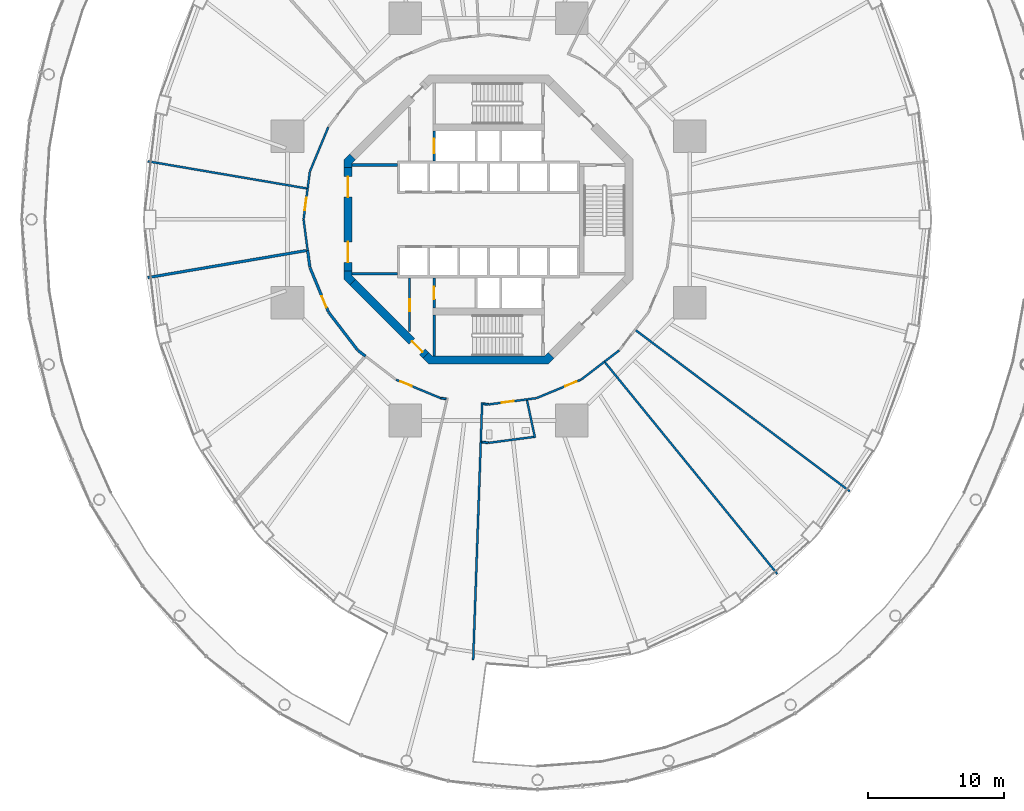
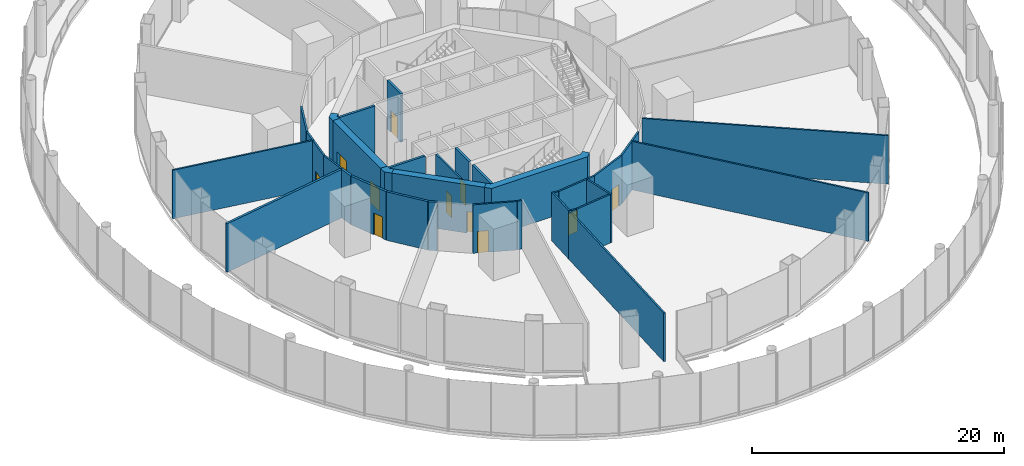
# One storey, part 42 of 48: 36 walls, 11 doors, 11 openings.
"""IFC4 building model written with IfcOpenShell, lengths in metres."""

from ifc_helpers import new_model, si_unit, direction, frame, frame_2d, origin, place, context, subcontext, project, spatial, polyline, rectangle, outline, extrude, material, layer, layer_set, type_object, element, fill, save


model = new_model("IFC4")

# Units and contexts
model_context = context("Model", 3, precision=1e-05, world=origin(), true_north=direction((0.0, 1.0)))
body_context = subcontext(model_context, "Body", "Model", "MODEL_VIEW")
ifc_project = project(units=[si_unit("LENGTHUNIT", "METRE"), si_unit("AREAUNIT", "SQUARE_METRE"), si_unit("VOLUMEUNIT", "CUBIC_METRE"), si_unit("PLANEANGLEUNIT", "RADIAN"), si_unit("MASSUNIT", "GRAM", prefix="KILO")], contexts=[model_context])

# Site, building, storey
site_placement = place(None, origin())
site = spatial("IfcSite", under=ifc_project, at=site_placement, CompositionType="ELEMENT")
building_placement = place(site_placement, origin())
building = spatial("IfcBuilding", under=site, at=building_placement, Name="Nagisa Residences", CompositionType="ELEMENT")
storey_placement = place(building_placement, frame((0.0, 0.0, 12.0)))
storey = spatial("IfcBuildingStorey", under=building, at=storey_placement, Name="L02", CompositionType="ELEMENT", Elevation=12.0)

# Wall, opening, door
ifc_material_1 = material(Name="Gypsum board on steel studs", Category="steel")
ifc_layer_1 = layer(ifc_material_1, 0.14990234375)
ifc_layer_set_1 = layer_set([ifc_layer_1], Name="Core partition 150")
wall_type_1 = type_object("IfcWallType", Name="Core partition 150", PredefinedType="PARTITIONING", material=ifc_layer_set_1)
wall_1_placement = place(storey_placement, frame((-5.800048828125, -8.22705078125, 0.0), z_axis=(0.0, 0.0, 1.0), x_axis=(0.0, 1.0, 0.0)))
wall_1 = element("IfcWall", 1, at=wall_1_placement, inside=storey, type_object=wall_type_1, Name="wall:L02:SWp", PredefinedType="PARTITIONING", context=body_context, shape_type="SweptSolid", body=[
    extrude(rectangle(XDim=3.927001953125, YDim=0.14990234375, at=frame_2d((1.96337890625, 0.0))), origin(), (0.0, 0.0, 1.0), 4.699951171875),
])
opening_1_placement = place(wall_1_placement, frame((1.47607421875, 0.0, 0.0)))
opening_1 = element("IfcOpeningElement", 2, at=opening_1_placement, cuts=wall_1, Name="Opening L02-C13", PredefinedType="OPENING", context=body_context, shape_type="SweptSolid", body=[
    extrude(rectangle(XDim=0.89990234375, YDim=2.10009765625, at=frame_2d((0.449951171875, 1.050048828125))), frame((0.0, 0.0849609375, 0.0), z_axis=(0.0, -1.0, 0.0), x_axis=(1.0, 0.0, 0.0)), (0.0, 0.0, 1.0), 0.169921875),
])
ifc_material_2 = material(Name="Steel fire door", Category="steel")
door_type_1 = type_object("IfcDoorType", Name="Fire door EI30 900x2100 single swing", OperationType="NOTDEFINED", PredefinedType="DOOR", material=ifc_material_2)
door_1_placement = place(opening_1_placement, origin())
door_1 = element("IfcDoor", 3, at=door_1_placement, inside=storey, type_object=door_type_1, Name="Refuse room door L02", OperationType="SINGLE_SWING_LEFT", OverallHeight=2.10009765625, OverallWidth=0.89990234375, PredefinedType="DOOR", context=body_context, shape_type="SweptSolid", body=[
    extrude(rectangle(XDim=0.89990234375, YDim=2.10009765625, at=frame_2d((0.449951171875, 1.050048828125))), frame((0.0, 0.02490234375, 0.0), z_axis=(0.0, -1.0, 0.0), x_axis=(1.0, 0.0, 0.0)), (0.0, 0.0, 1.0), 0.050048828125),
])
fill(opening_1, door_1)

# Walls
ifc_material_3 = material(Name="Gypsum board on steel studs", Category="steel")
ifc_layer_2 = layer(ifc_material_3, 0.199951171875)
ifc_layer_set_2 = layer_set([ifc_layer_2], Name="Core partition 200")
wall_type_2 = type_object("IfcWallType", Name="Core partition 200", PredefinedType="PARTITIONING", material=ifc_layer_set_2)
for number, where, z_axis, x_axis, name in (
    (4, (-10.024658203125, -4.0, 0.0), (0.0, 0.0, 1.0), (1.0, 0.0, 0.0), "wall:L02:PSW"),
    (5, (-10.024658203125, 4.0, 0.0), (0.0, 0.0, 1.0), (1.0, 0.0, 0.0), "wall:L02:PNW"),
):
    element("IfcWall", number, at=place(storey_placement, frame(where, z_axis=z_axis, x_axis=x_axis)), inside=storey, type_object=wall_type_2, Name=name, PredefinedType="PARTITIONING", context=body_context, shape_type="SweptSolid", body=[
        extrude(rectangle(XDim=3.32470703125, YDim=0.199951171875, at=frame_2d((1.662353515625, 0.0))), origin(), (0.0, 0.0, 1.0), 4.699951171875),
    ])

# Wall, openings, doors
ifc_material_4 = material(Name="Concrete C60", Category="concrete")
ifc_layer_3 = layer(ifc_material_4, 0.60009765625)
ifc_layer_set_3 = layer_set([ifc_layer_3], Name="Core shear wall 600")
wall_type_3 = type_object("IfcWallType", Name="Core shear wall 600", PredefinedType="SHEAR", material=ifc_layer_set_3)
wall_2_placement = place(storey_placement, frame((-10.32470703125, 3.80078125, 0.0), z_axis=(0.0, 0.0, 1.0), x_axis=(0.0, -1.0, 0.0)))
wall_2 = element("IfcWall", 6, at=wall_2_placement, inside=storey, type_object=wall_type_3, Name="wall:L02:core:flat4", PredefinedType="SHEAR", context=body_context, shape_type="SweptSolid", body=[
    extrude(rectangle(XDim=7.6015625, YDim=0.60009765625, at=frame_2d((3.80078125, 0.0))), origin(), (0.0, 0.0, 1.0), 4.699951171875),
])
opening_2_placement = place(wall_2_placement, frame((0.65087890625, 0.0, 0.0)))
opening_2 = element("IfcOpeningElement", 7, at=opening_2_placement, cuts=wall_2, Name="Opening L02-C17", PredefinedType="OPENING", context=body_context, shape_type="SweptSolid", body=[
    extrude(rectangle(XDim=1.5, YDim=2.10009765625, at=frame_2d((0.75, 1.050048828125))), frame((0.0, 0.31005859375, 0.0), z_axis=(0.0, -1.0, 0.0), x_axis=(1.0, 0.0, 0.0)), (0.0, 0.0, 1.0), 0.6201171875),
])
opening_3_placement = place(wall_2_placement, frame((5.450927734375, 0.0, 0.0)))
opening_3 = element("IfcOpeningElement", 8, at=opening_3_placement, cuts=wall_2, Name="Opening L02-C18", PredefinedType="OPENING", context=body_context, shape_type="SweptSolid", body=[
    extrude(rectangle(XDim=1.5, YDim=2.10009765625, at=frame_2d((0.75, 1.050048828125))), frame((0.0, 0.31005859375, 0.0), z_axis=(0.0, -1.0, 0.0), x_axis=(1.0, 0.0, 0.0)), (0.0, 0.0, 1.0), 0.6201171875),
])
ifc_material_5 = material(Name="Steel fire door", Category="steel")
door_type_2 = type_object("IfcDoorType", Name="Fire door EI60 1500x2100 double door single swing", OperationType="DOUBLE_DOOR_SINGLE_SWING", PredefinedType="DOOR", material=ifc_material_5)
door_2_placement = place(opening_2_placement, origin())
door_2 = element("IfcDoor", 9, at=door_2_placement, inside=storey, type_object=door_type_2, Name="Lift lobby door L02 1", OperationType="DOUBLE_DOOR_SINGLE_SWING", OverallHeight=2.10009765625, OverallWidth=1.5, PredefinedType="DOOR", context=body_context, shape_type="SweptSolid", body=[
    extrude(rectangle(XDim=1.5, YDim=2.10009765625, at=frame_2d((0.75, 1.050048828125))), frame((0.0, 0.02490234375, 0.0), z_axis=(0.0, -1.0, 0.0), x_axis=(1.0, 0.0, 0.0)), (0.0, 0.0, 1.0), 0.050048828125),
])
fill(opening_2, door_2)
door_3_placement = place(opening_3_placement, origin())
door_3 = element("IfcDoor", 10, at=door_3_placement, inside=storey, type_object=door_type_2, Name="Lift lobby door L02 2", OperationType="DOUBLE_DOOR_SINGLE_SWING", OverallHeight=2.10009765625, OverallWidth=1.5, PredefinedType="DOOR", context=body_context, shape_type="SweptSolid", body=[
    extrude(rectangle(XDim=1.5, YDim=2.10009765625, at=frame_2d((0.75, 1.050048828125))), frame((0.0, 0.02490234375, 0.0), z_axis=(0.0, -1.0, 0.0), x_axis=(1.0, 0.0, 0.0)), (0.0, 0.0, 1.0), 0.050048828125),
])
fill(opening_3, door_3)

# Wall, opening, door
wall_3_placement = place(storey_placement, frame((-9.98828125, -4.613037109375, 0.0), z_axis=(0.0, 0.0, 1.0), x_axis=(0.707106781187, -0.707106781187, 0.0)))
wall_3 = element("IfcWall", 11, at=wall_3_placement, inside=storey, type_object=wall_type_3, Name="wall:L02:core:flat5", PredefinedType="SHEAR", context=body_context, shape_type="SweptSolid", body=[
    extrude(rectangle(XDim=7.601806640625, YDim=0.60009765625, at=frame_2d((3.80078125, 0.0))), origin(), (0.0, 0.0, 1.0), 4.699951171875),
])
opening_4_placement = place(wall_3_placement, frame((6.15087890625, 0.0, 0.0)))
opening_4 = element("IfcOpeningElement", 12, at=opening_4_placement, cuts=wall_3, Name="Opening L02-C20", PredefinedType="OPENING", context=body_context, shape_type="SweptSolid", body=[
    extrude(rectangle(XDim=1.10009765625, YDim=2.10009765625, at=frame_2d((0.550048828125, 1.050048828125))), frame((0.0, 0.31005859375, 0.0), z_axis=(0.0, -1.0, 0.0), x_axis=(1.0, 0.0, 0.0)), (0.0, 0.0, 1.0), 0.6201171875),
])
ifc_material_6 = material(Name="Steel fire door", Category="steel")
door_type_3 = type_object("IfcDoorType", Name="Fire door EI60 1100x2100 single swing", OperationType="NOTDEFINED", PredefinedType="DOOR", material=ifc_material_6)
door_4_placement = place(opening_4_placement, origin())
door_4 = element("IfcDoor", 13, at=door_4_placement, inside=storey, type_object=door_type_3, Name="Housekeeping lobby door L02", OperationType="SINGLE_SWING_RIGHT", OverallHeight=2.10009765625, OverallWidth=1.10009765625, PredefinedType="DOOR", context=body_context, shape_type="SweptSolid", body=[
    extrude(rectangle(XDim=1.10009765625, YDim=2.10009765625, at=frame_2d((0.550048828125, 1.050048828125))), frame((0.0, 0.02490234375, 0.0), z_axis=(0.0, -1.0, 0.0), x_axis=(1.0, 0.0, 0.0)), (0.0, 0.0, 1.0), 0.050048828125),
])
fill(opening_4, door_4)

# Walls
wall_4_placement = place(storey_placement, origin())
element("IfcWall", 14, at=wall_4_placement, inside=storey, type_object=wall_type_3, Name="wall:L02:core:pier4", PredefinedType="SHEAR", context=body_context, shape_type="SweptSolid", body=[
    extrude(outline(polyline([(-10.62451171875, -3.80078125), (-10.024658203125, -3.80078125), (-10.024658203125, -4.15234375), (-9.776123046875, -4.40087890625), (-10.200439453125, -4.8251953125), (-10.62451171875, -4.40087890625), (-10.62451171875, -3.80078125)])), origin(), (0.0, 0.0, 1.0), 4.699951171875),
])
wall_5_placement = place(storey_placement, origin())
element("IfcWall", 15, at=wall_5_placement, inside=storey, type_object=wall_type_3, Name="wall:L02:core:pier3", PredefinedType="SHEAR", context=body_context, shape_type="SweptSolid", body=[
    extrude(outline(polyline([(-10.200439453125, 4.8251953125), (-9.776123046875, 4.40087890625), (-10.024658203125, 4.15234375), (-10.024658203125, 3.80078125), (-10.62451171875, 3.80078125), (-10.62451171875, 4.40087890625), (-10.200439453125, 4.8251953125)])), origin(), (0.0, 0.0, 1.0), 4.699951171875),
])
wall_6_placement = place(storey_placement, origin())
element("IfcWall", 16, at=wall_6_placement, inside=storey, type_object=wall_type_3, Name="wall:L02:core:flat6", PredefinedType="SHEAR", context=body_context, shape_type="SweptSolid", body=[
    extrude(outline(polyline([(-4.15234375, -10.024658203125), (4.15234375, -10.024658203125), (4.40087890625, -9.776123046875), (4.8251953125, -10.200439453125), (4.40087890625, -10.62451171875), (-4.40087890625, -10.62451171875), (-4.8251953125, -10.200439453125), (-4.40087890625, -9.776123046875), (-4.15234375, -10.024658203125)])), origin(), (0.0, 0.0, 1.0), 4.699951171875),
])

# Wall, opening, door
ifc_material_7 = material(Name="Concrete C60", Category="concrete")
ifc_layer_4 = layer(ifc_material_7, 0.199951171875)
ifc_layer_set_4 = layer_set([ifc_layer_4], Name="Lift shaft wall 200")
wall_type_4 = type_object("IfcWallType", Name="Lift shaft wall 200", PredefinedType="SOLIDWALL", material=ifc_layer_set_4)
wall_7_placement = place(storey_placement, frame((-4.0, 4.300048828125, 0.0), z_axis=(0.0, 0.0, 1.0), x_axis=(0.0, 1.0, 0.0)))
wall_7 = element("IfcWall", 17, at=wall_7_placement, inside=storey, type_object=wall_type_4, Name="wall:L02:Nb4", PredefinedType="SOLIDWALL", context=body_context, shape_type="SweptSolid", body=[
    extrude(rectangle(XDim=2.199951171875, YDim=0.199951171875, at=frame_2d((1.10009765625, 0.0))), origin(), (0.0, 0.0, 1.0), 4.699951171875),
])
opening_5_placement = place(wall_7_placement, frame((0.550048828125, 0.0, 0.0)))
opening_5 = element("IfcOpeningElement", 18, at=opening_5_placement, cuts=wall_7, Name="Opening L02-C08", PredefinedType="OPENING", context=body_context, shape_type="SweptSolid", body=[
    extrude(rectangle(XDim=1.10009765625, YDim=2.10009765625, at=frame_2d((0.550048828125, 1.050048828125))), frame((0.0, 0.10986328125, 0.0), z_axis=(0.0, -1.0, 0.0), x_axis=(1.0, 0.0, 0.0)), (0.0, 0.0, 1.0), 0.219970703125),
])
ifc_material_8 = material(Name="Stainless steel", Category="steel")
door_type_4 = type_object("IfcDoorType", Name="Lift landing door 1100x2100", OperationType="DOUBLE_DOOR_SLIDING", PredefinedType="DOOR", material=ifc_material_8)
door_5_placement = place(opening_5_placement, origin())
door_5 = element("IfcDoor", 19, at=door_5_placement, inside=storey, type_object=door_type_4, Name="Landing door SV L02", OperationType="DOUBLE_DOOR_SLIDING", OverallHeight=2.10009765625, OverallWidth=1.10009765625, PredefinedType="DOOR", context=body_context, shape_type="SweptSolid", body=[
    extrude(rectangle(XDim=1.10009765625, YDim=2.10009765625, at=frame_2d((0.550048828125, 1.050048828125))), frame((0.0, 0.02490234375, 0.0), z_axis=(0.0, -1.0, 0.0), x_axis=(1.0, 0.0, 0.0)), (0.0, 0.0, 1.0), 0.050048828125),
])
fill(opening_5, door_5)

wall_8_placement = place(storey_placement, frame((-4.0, -6.5, 0.0), z_axis=(0.0, 0.0, 1.0), x_axis=(0.0, 1.0, 0.0)))
wall_8 = element("IfcWall", 20, at=wall_8_placement, inside=storey, type_object=wall_type_4, Name="wall:L02:Sb4", PredefinedType="SOLIDWALL", context=body_context, shape_type="SweptSolid", body=[
    extrude(rectangle(XDim=2.199951171875, YDim=0.199951171875, at=frame_2d((1.10009765625, 0.0))), origin(), (0.0, 0.0, 1.0), 4.699951171875),
])
opening_6_placement = place(wall_8_placement, frame((0.64990234375, 0.0, 0.0)))
opening_6 = element("IfcOpeningElement", 21, at=opening_6_placement, cuts=wall_8, Name="Opening L02-C14", PredefinedType="OPENING", context=body_context, shape_type="SweptSolid", body=[
    extrude(rectangle(XDim=0.89990234375, YDim=2.10009765625, at=frame_2d((0.449951171875, 1.050048828125))), frame((0.0, 0.10986328125, 0.0), z_axis=(0.0, -1.0, 0.0), x_axis=(1.0, 0.0, 0.0)), (0.0, 0.0, 1.0), 0.219970703125),
])
door_6_placement = place(opening_6_placement, frame((0.89990234375, 0.0, 0.0), x_axis=(-1.0, 0.0, 0.0)))
door_6 = element("IfcDoor", 22, at=door_6_placement, inside=storey, type_object=door_type_1, Name="Refuse room door L02", OperationType="SINGLE_SWING_LEFT", OverallHeight=2.10009765625, OverallWidth=0.89990234375, PredefinedType="DOOR", context=body_context, shape_type="SweptSolid", body=[
    extrude(rectangle(XDim=0.89990234375, YDim=2.10009765625, at=frame_2d((0.449951171875, 1.050048828125))), frame((0.0, 0.02490234375, 0.0), z_axis=(0.0, -1.0, 0.0), x_axis=(1.0, 0.0, 0.0)), (0.0, 0.0, 1.0), 0.050048828125),
])
fill(opening_6, door_6)

# Walls
ifc_material_9 = material(Name="Gypsum board on steel studs", Category="steel")
ifc_layer_5 = layer(ifc_material_9, 0.199951171875)
ifc_layer_set_5 = layer_set([ifc_layer_5], Name="Plant room wall EI120 200")
wall_type_5 = type_object("IfcWallType", Name="Plant room wall EI120 200", PredefinedType="PARTITIONING", material=ifc_layer_set_5)
wall_9_placement = place(storey_placement, frame((-13.39990234375, -2.28662109375, 0.0), z_axis=(0.0, 0.0, 1.0), x_axis=(-0.985752547827, -0.168202004903, 0.0)))
element("IfcWall", 23, at=wall_9_placement, inside=storey, type_object=wall_type_5, Name="wall:L02:am052", PredefinedType="PARTITIONING", context=body_context, shape_type="SweptSolid", body=[
    extrude(rectangle(XDim=11.822265625, YDim=0.199951171875, at=frame_2d((5.9111328125, 0.0))), origin(), (0.0, 0.0, 1.0), 4.699951171875),
])
wall_10_placement = place(storey_placement, frame((-13.138671875, -3.5048828125, 0.0), z_axis=(0.0, 0.0, 1.0), x_axis=(-0.130520415919, 0.991445621821, 0.0)))
element("IfcWall", 24, at=wall_10_placement, inside=storey, type_object=wall_type_5, Name="wall:L02:am053", PredefinedType="PARTITIONING", context=body_context, shape_type="SweptSolid", body=[
    extrude(rectangle(XDim=1.245849609375, YDim=0.199951171875, at=frame_2d((0.623046875, 0.0))), origin(), (0.0, 0.0, 1.0), 4.699951171875),
])

# Wall, opening, door
wall_11_placement = place(storey_placement, frame((-11.78369140625, -6.785888671875, 0.0), z_axis=(0.0, 0.0, 1.0), x_axis=(-0.382723413813, 0.92386297064, 0.0)))
wall_11 = element("IfcWall", 25, at=wall_11_placement, inside=storey, type_object=wall_type_5, Name="wall:L02:am054", PredefinedType="PARTITIONING", context=body_context, shape_type="SweptSolid", body=[
    extrude(rectangle(XDim=3.52001953125, YDim=0.199951171875, at=frame_2d((1.760009765625, 0.0))), origin(), (0.0, 0.0, 1.0), 4.699951171875),
])
opening_7_placement = place(wall_11_placement, frame((0.34228515625, 0.0, 0.0)))
opening_7 = element("IfcOpeningElement", 26, at=opening_7_placement, cuts=wall_11, Name="Opening L02-A09", PredefinedType="OPENING", context=body_context, shape_type="SweptSolid", body=[
    extrude(rectangle(XDim=0.89990234375, YDim=2.10009765625, at=frame_2d((0.449951171875, 1.050048828125))), frame((0.0, 0.10986328125, 0.0), z_axis=(0.0, -1.0, 0.0), x_axis=(1.0, 0.0, 0.0)), (0.0, 0.0, 1.0), 0.219970703125),
])
ifc_material_10 = material(Name="Steel fire door", Category="steel")
door_type_5 = type_object("IfcDoorType", Name="Fire door EI120 900x2100 single swing", OperationType="NOTDEFINED", PredefinedType="DOOR", material=ifc_material_10)
door_7_placement = place(opening_7_placement, origin())
door_7 = element("IfcDoor", 27, at=door_7_placement, inside=storey, type_object=door_type_5, Name="Club equipment plant room door", OperationType="SINGLE_SWING_LEFT", OverallHeight=2.10009765625, OverallWidth=0.89990234375, PredefinedType="DOOR", context=body_context, shape_type="SweptSolid", body=[
    extrude(rectangle(XDim=0.89990234375, YDim=2.10009765625, at=frame_2d((0.449951171875, 1.050048828125))), frame((0.0, 0.02490234375, 0.0), z_axis=(0.0, -1.0, 0.0), x_axis=(1.0, 0.0, 0.0)), (0.0, 0.0, 1.0), 0.050048828125),
])
fill(opening_7, door_7)

# Walls
wall_12_placement = place(storey_placement, frame((-9.6259765625, -9.604736328125, 0.0), z_axis=(0.0, 0.0, 1.0), x_axis=(-0.608697977542, 0.793402024283, 0.0)))
element("IfcWall", 28, at=wall_12_placement, inside=storey, type_object=wall_type_5, Name="wall:L02:am055", PredefinedType="PARTITIONING", context=body_context, shape_type="SweptSolid", body=[
    extrude(rectangle(XDim=3.52001953125, YDim=0.199951171875, at=frame_2d((1.760009765625, 0.0))), origin(), (0.0, 0.0, 1.0), 4.699951171875),
])
wall_13_placement = place(storey_placement, frame((-9.05029296875, -10.05126953125, 0.0), z_axis=(0.0, 0.0, 1.0), x_axis=(-0.793454504248, 0.608629566887, 0.0)))
element("IfcWall", 29, at=wall_13_placement, inside=storey, type_object=wall_type_5, Name="wall:L02:am056", PredefinedType="PARTITIONING", context=body_context, shape_type="SweptSolid", body=[
    extrude(rectangle(XDim=0.69873046875, YDim=0.199951171875, at=frame_2d((0.349365234375, 0.0))), origin(), (0.0, 0.0, 1.0), 4.699951171875),
])

# Wall, opening, door
ifc_material_11 = material(Name="Gypsum board on steel studs", Category="steel")
ifc_layer_6 = layer(ifc_material_11, 0.14990234375)
ifc_layer_set_6 = layer_set([ifc_layer_6], Name="Room partition EI60 150")
wall_type_6 = type_object("IfcWallType", Name="Room partition EI60 150", PredefinedType="PARTITIONING", material=ifc_layer_set_6)
wall_14_placement = place(storey_placement, frame((-13.598388671875, 0.01171875, 0.0), z_axis=(0.0, 0.0, 1.0), x_axis=(0.130457285505, 0.991453930679, 0.0)))
wall_14 = element("IfcWall", 30, at=wall_14_placement, inside=storey, type_object=wall_type_6, Name="wall:L02:am000", PredefinedType="PARTITIONING", context=body_context, shape_type="SweptSolid", body=[
    extrude(rectangle(XDim=2.277587890625, YDim=0.14990234375, at=frame_2d((1.138671875, 0.0))), origin(), (0.0, 0.0, 1.0), 4.699951171875),
])
opening_8_placement = place(wall_14_placement, frame((0.682861328125, 0.0, 0.0)))
opening_8 = element("IfcOpeningElement", 31, at=opening_8_placement, cuts=wall_14, Name="Opening L02-A08", PredefinedType="OPENING", context=body_context, shape_type="SweptSolid", body=[
    extrude(rectangle(XDim=0.89990234375, YDim=2.10009765625, at=frame_2d((0.449951171875, 1.050048828125))), frame((0.0, 0.0849609375, 0.0), z_axis=(0.0, -1.0, 0.0), x_axis=(1.0, 0.0, 0.0)), (0.0, 0.0, 1.0), 0.169921875),
])
door_8_placement = place(opening_8_placement, origin())
door_8 = element("IfcDoor", 32, at=door_8_placement, inside=storey, type_object=door_type_1, Name="Tea ceremony room door", OperationType="SINGLE_SWING_RIGHT", OverallHeight=2.10009765625, OverallWidth=0.89990234375, PredefinedType="DOOR", context=body_context, shape_type="SweptSolid", body=[
    extrude(rectangle(XDim=0.89990234375, YDim=2.10009765625, at=frame_2d((0.449951171875, 1.050048828125))), frame((0.0, 0.02490234375, 0.0), z_axis=(0.0, -1.0, 0.0), x_axis=(1.0, 0.0, 0.0)), (0.0, 0.0, 1.0), 0.050048828125),
])
fill(opening_8, door_8)

# Walls
wall_15_placement = place(storey_placement, frame((-13.30126953125, -2.269775390625, 0.0), z_axis=(0.0, 0.0, 1.0), x_axis=(-0.130457285505, 0.991453930679, 0.0)))
element("IfcWall", 33, at=wall_15_placement, inside=storey, type_object=wall_type_6, Name="wall:L02:am001", PredefinedType="PARTITIONING", context=body_context, shape_type="SweptSolid", body=[
    extrude(rectangle(XDim=2.277587890625, YDim=0.14990234375, at=frame_2d((1.138671875, 0.0))), origin(), (0.0, 0.0, 1.0), 4.699951171875),
])
wall_16_placement = place(storey_placement, frame((-13.375244140625, 2.282470703125, 0.0), z_axis=(0.0, 0.0, 1.0), x_axis=(-0.985753347153, 0.168197320361, 0.0)))
element("IfcWall", 34, at=wall_16_placement, inside=storey, type_object=wall_type_6, Name="wall:L02:am002", PredefinedType="PARTITIONING", context=body_context, shape_type="SweptSolid", body=[
    extrude(rectangle(XDim=11.84716796875, YDim=0.14990234375, at=frame_2d((5.923583984375, 0.0))), origin(), (0.0, 0.0, 1.0), 4.699951171875),
])
wall_17_placement = place(storey_placement, frame((-13.30126953125, 2.269775390625, 0.0), z_axis=(0.0, 0.0, 1.0), x_axis=(0.130575867104, 0.991438320285, 0.0)))
element("IfcWall", 35, at=wall_17_placement, inside=storey, type_object=wall_type_6, Name="wall:L02:am003", PredefinedType="PARTITIONING", context=body_context, shape_type="SweptSolid", body=[
    extrude(rectangle(XDim=1.2490234375, YDim=0.14990234375, at=frame_2d((0.62451171875, 0.0))), origin(), (0.0, 0.0, 1.0), 4.699951171875),
])
wall_18_placement = place(storey_placement, frame((-13.132080078125, 3.53076171875, 0.0), z_axis=(0.0, 0.0, 1.0), x_axis=(0.382677866108, 0.923881838111, 0.0)))
element("IfcWall", 36, at=wall_18_placement, inside=storey, type_object=wall_type_6, Name="wall:L02:am004", PredefinedType="PARTITIONING", context=body_context, shape_type="SweptSolid", body=[
    extrude(rectangle(XDim=3.52685546875, YDim=0.14990234375, at=frame_2d((1.763427734375, 0.0))), origin(), (0.0, 0.0, 1.0), 4.699951171875),
])

# Wall, opening, door
wall_19_placement = place(storey_placement, frame((-3.53076171875, -13.132080078125, 0.0), z_axis=(0.0, 0.0, 1.0), x_axis=(-0.923881838111, 0.382677866108, 0.0)))
wall_19 = element("IfcWall", 37, at=wall_19_placement, inside=storey, type_object=wall_type_6, Name="wall:L02:am009", PredefinedType="PARTITIONING", context=body_context, shape_type="SweptSolid", body=[
    extrude(rectangle(XDim=3.52685546875, YDim=0.14990234375, at=frame_2d((1.763427734375, 0.0))), origin(), (0.0, 0.0, 1.0), 4.699951171875),
])
opening_9_placement = place(wall_19_placement, frame((2.281005859375, 0.0, 0.0)))
opening_9 = element("IfcOpeningElement", 38, at=opening_9_placement, cuts=wall_19, Name="Opening L02-A10", PredefinedType="OPENING", context=body_context, shape_type="SweptSolid", body=[
    extrude(rectangle(XDim=0.89990234375, YDim=2.10009765625, at=frame_2d((0.449951171875, 1.050048828125))), frame((0.0, 0.0849609375, 0.0), z_axis=(0.0, -1.0, 0.0), x_axis=(1.0, 0.0, 0.0)), (0.0, 0.0, 1.0), 0.169921875),
])
door_9_placement = place(opening_9_placement, origin())
door_9 = element("IfcDoor", 39, at=door_9_placement, inside=storey, type_object=door_type_1, Name="Club services store door", OperationType="SINGLE_SWING_RIGHT", OverallHeight=2.10009765625, OverallWidth=0.89990234375, PredefinedType="DOOR", context=body_context, shape_type="SweptSolid", body=[
    extrude(rectangle(XDim=0.89990234375, YDim=2.10009765625, at=frame_2d((0.449951171875, 1.050048828125))), frame((0.0, 0.02490234375, 0.0), z_axis=(0.0, -1.0, 0.0), x_axis=(1.0, 0.0, 0.0)), (0.0, 0.0, 1.0), 0.050048828125),
])
fill(opening_9, door_9)

# Walls
wall_20_placement = place(storey_placement, frame((-3.121826171875, -13.18896484375, 0.0), z_axis=(0.0, 0.0, 1.0), x_axis=(-0.991467089631, 0.130357240609, 0.0)))
element("IfcWall", 40, at=wall_20_placement, inside=storey, type_object=wall_type_6, Name="wall:L02:am010", PredefinedType="PARTITIONING", context=body_context, shape_type="SweptSolid", body=[
    extrude(rectangle(XDim=0.3896484375, YDim=0.14990234375, at=frame_2d((0.19482421875, 0.0))), origin(), (0.0, 0.0, 1.0), 4.699951171875),
])
wall_21_placement = place(storey_placement, frame((-0.57080078125, -16.34912109375, 0.0), z_axis=(0.0, 0.0, 1.0), x_axis=(-0.034915122528, -0.999390281231, 0.0)))
element("IfcWall", 41, at=wall_21_placement, inside=storey, type_object=wall_type_6, Name="wall:L02:am014", PredefinedType="PARTITIONING", context=body_context, shape_type="SweptSolid", body=[
    extrude(rectangle(XDim=16.0615234375, YDim=0.14990234375, at=frame_2d((8.03076171875, 0.0))), origin(), (0.0, 0.0, 1.0), 4.699951171875),
])
wall_22_placement = place(storey_placement, frame((-0.469970703125, -13.46240234375, 0.0), z_axis=(0.0, 0.0, 1.0), x_axis=(-0.034907670303, -0.999390541557, 0.0)))
element("IfcWall", 42, at=wall_22_placement, inside=storey, type_object=wall_type_6, Name="wall:L02:am015", PredefinedType="PARTITIONING", context=body_context, shape_type="SweptSolid", body=[
    extrude(rectangle(XDim=2.888427734375, YDim=0.14990234375, at=frame_2d((1.4443359375, 0.0))), origin(), (0.0, 0.0, 1.0), 4.699951171875),
])
wall_23_placement = place(storey_placement, frame((-0.01171875, -16.422607421875, 0.0), z_axis=(0.0, 0.0, 1.0), x_axis=(-0.991457697021, 0.130428658731, 0.0)))
element("IfcWall", 43, at=wall_23_placement, inside=storey, type_object=wall_type_6, Name="wall:L02:am016", PredefinedType="PARTITIONING", context=body_context, shape_type="SweptSolid", body=[
    extrude(rectangle(XDim=0.488525390625, YDim=0.14990234375, at=frame_2d((0.244140625, 0.0))), origin(), (0.0, 0.0, 1.0), 4.699951171875),
])
wall_24_placement = place(storey_placement, frame((-0.01171875, -13.598388671875, 0.0), z_axis=(0.0, 0.0, 1.0), x_axis=(-0.991467089631, 0.130357240609, 0.0)))
element("IfcWall", 44, at=wall_24_placement, inside=storey, type_object=wall_type_6, Name="wall:L02:am017", PredefinedType="PARTITIONING", context=body_context, shape_type="SweptSolid", body=[
    extrude(rectangle(XDim=0.3896484375, YDim=0.14990234375, at=frame_2d((0.19482421875, 0.0))), origin(), (0.0, 0.0, 1.0), 4.699951171875),
])

# Wall, opening, door
wall_25_placement = place(storey_placement, frame((2.81201171875, -13.229736328125, 0.0), z_axis=(0.0, 0.0, 1.0), x_axis=(-0.991445467051, -0.130521591565, 0.0)))
wall_25 = element("IfcWall", 45, at=wall_25_placement, inside=storey, type_object=wall_type_6, Name="wall:L02:am019", PredefinedType="PARTITIONING", context=body_context, shape_type="SweptSolid", body=[
    extrude(rectangle(XDim=2.824462890625, YDim=0.14990234375, at=frame_2d((1.412109375, 0.0))), origin(), (0.0, 0.0, 1.0), 4.699951171875),
])
opening_10_placement = place(wall_25_placement, frame((0.96826171875, 0.0, 0.0)))
opening_10 = element("IfcOpeningElement", 46, at=opening_10_placement, cuts=wall_25, Name="Opening L02-A11", PredefinedType="OPENING", context=body_context, shape_type="SweptSolid", body=[
    extrude(rectangle(XDim=0.89990234375, YDim=2.10009765625, at=frame_2d((0.449951171875, 1.050048828125))), frame((0.0, 0.0849609375, 0.0), z_axis=(0.0, -1.0, 0.0), x_axis=(1.0, 0.0, 0.0)), (0.0, 0.0, 1.0), 0.169921875),
])
door_10_placement = place(opening_10_placement, origin())
door_10 = element("IfcDoor", 47, at=door_10_placement, inside=storey, type_object=door_type_1, Name="WC door", OperationType="SINGLE_SWING_LEFT", OverallHeight=2.10009765625, OverallWidth=0.89990234375, PredefinedType="DOOR", context=body_context, shape_type="SweptSolid", body=[
    extrude(rectangle(XDim=0.89990234375, YDim=2.10009765625, at=frame_2d((0.449951171875, 1.050048828125))), frame((0.0, 0.02490234375, 0.0), z_axis=(0.0, -1.0, 0.0), x_axis=(1.0, 0.0, 0.0)), (0.0, 0.0, 1.0), 0.050048828125),
])
fill(opening_10, door_10)

# Walls
wall_26_placement = place(storey_placement, frame((2.82763671875, -13.303466796875, 0.0), z_axis=(0.0, 0.0, 1.0), x_axis=(0.207920091501, -0.978145815076, 0.0)))
element("IfcWall", 48, at=wall_26_placement, inside=storey, type_object=wall_type_6, Name="wall:L02:am020", PredefinedType="PARTITIONING", context=body_context, shape_type="SweptSolid", body=[
    extrude(rectangle(XDim=2.80859375, YDim=0.14990234375, at=frame_2d((1.404296875, 0.0))), origin(), (0.0, 0.0, 1.0), 4.699951171875),
])
wall_27_placement = place(storey_placement, frame((3.3212890625, -15.98681640625, 0.0), z_axis=(0.0, 0.0, 1.0), x_axis=(-0.991441844339, -0.130549106827, 0.0)))
element("IfcWall", 49, at=wall_27_placement, inside=storey, type_object=wall_type_6, Name="wall:L02:am022", PredefinedType="PARTITIONING", context=body_context, shape_type="SweptSolid", body=[
    extrude(rectangle(XDim=3.338134765625, YDim=0.14990234375, at=frame_2d((1.6689453125, 0.0))), origin(), (0.0, 0.0, 1.0), 4.699951171875),
])
wall_28_placement = place(storey_placement, frame((3.508056640625, -13.13818359375, 0.0), z_axis=(0.0, 0.0, 1.0), x_axis=(-0.991460212813, -0.130409533429, 0.0)))
element("IfcWall", 50, at=wall_28_placement, inside=storey, type_object=wall_type_6, Name="wall:L02:am023", PredefinedType="PARTITIONING", context=body_context, shape_type="SweptSolid", body=[
    extrude(rectangle(XDim=0.7021484375, YDim=0.14990234375, at=frame_2d((0.35107421875, 0.0))), origin(), (0.0, 0.0, 1.0), 4.699951171875),
])

# Wall, opening, door
wall_29_placement = place(storey_placement, frame((6.7890625, -11.782470703125, 0.0), z_axis=(0.0, 0.0, 1.0), x_axis=(-0.923881838111, -0.382677866108, 0.0)))
wall_29 = element("IfcWall", 51, at=wall_29_placement, inside=storey, type_object=wall_type_6, Name="wall:L02:am025", PredefinedType="PARTITIONING", context=body_context, shape_type="SweptSolid", body=[
    extrude(rectangle(XDim=3.52685546875, YDim=0.14990234375, at=frame_2d((1.763427734375, 0.0))), origin(), (0.0, 0.0, 1.0), 4.699951171875),
])
opening_11_placement = place(wall_29_placement, frame((0.345703125, 0.0, 0.0)))
opening_11 = element("IfcOpeningElement", 52, at=opening_11_placement, cuts=wall_29, Name="Opening L02-A12", PredefinedType="OPENING", context=body_context, shape_type="SweptSolid", body=[
    extrude(rectangle(XDim=0.89990234375, YDim=2.10009765625, at=frame_2d((0.449951171875, 1.050048828125))), frame((0.0, 0.0849609375, 0.0), z_axis=(0.0, -1.0, 0.0), x_axis=(1.0, 0.0, 0.0)), (0.0, 0.0, 1.0), 0.169921875),
])
door_11_placement = place(opening_11_placement, origin())
door_11 = element("IfcDoor", 53, at=door_11_placement, inside=storey, type_object=door_type_1, Name="Housekeeping and linen store door", OperationType="SINGLE_SWING_RIGHT", OverallHeight=2.10009765625, OverallWidth=0.89990234375, PredefinedType="DOOR", context=body_context, shape_type="SweptSolid", body=[
    extrude(rectangle(XDim=0.89990234375, YDim=2.10009765625, at=frame_2d((0.449951171875, 1.050048828125))), frame((0.0, 0.02490234375, 0.0), z_axis=(0.0, -1.0, 0.0), x_axis=(1.0, 0.0, 0.0)), (0.0, 0.0, 1.0), 0.050048828125),
])
fill(opening_11, door_11)

# Walls
wall_30_placement = place(storey_placement, frame((8.519287109375, -10.458740234375, 0.0), z_axis=(0.0, 0.0, 1.0), x_axis=(-0.793372937326, -0.608735888805, 0.0)))
element("IfcWall", 54, at=wall_30_placement, inside=storey, type_object=wall_type_6, Name="wall:L02:am027", PredefinedType="PARTITIONING", context=body_context, shape_type="SweptSolid", body=[
    extrude(rectangle(XDim=2.1552734375, YDim=0.14990234375, at=frame_2d((1.07763671875, 0.0))), origin(), (0.0, 0.0, 1.0), 4.699951171875),
])
wall_31_placement = place(storey_placement, frame((8.566650390625, -10.51708984375, 0.0), z_axis=(0.0, 0.0, 1.0), x_axis=(0.631550170727, -0.775335012658, 0.0)))
element("IfcWall", 55, at=wall_31_placement, inside=storey, type_object=wall_type_6, Name="wall:L02:am028", PredefinedType="PARTITIONING", context=body_context, shape_type="SweptSolid", body=[
    extrude(rectangle(XDim=20.05126953125, YDim=0.14990234375, at=frame_2d((10.025634765625, 0.0))), origin(), (0.0, 0.0, 1.0), 4.699951171875),
])
wall_32_placement = place(storey_placement, frame((9.607177734375, -9.6240234375, 0.0), z_axis=(0.0, 0.0, 1.0), x_axis=(-0.793371316762, -0.6087380009, 0.0)))
element("IfcWall", 56, at=wall_32_placement, inside=storey, type_object=wall_type_6, Name="wall:L02:am031", PredefinedType="PARTITIONING", context=body_context, shape_type="SweptSolid", body=[
    extrude(rectangle(XDim=1.371337890625, YDim=0.14990234375, at=frame_2d((0.685546875, 0.0))), origin(), (0.0, 0.0, 1.0), 4.699951171875),
])
wall_33_placement = place(storey_placement, frame((10.83349609375, -8.154052734375, 0.0), z_axis=(0.0, 0.0, 1.0), x_axis=(0.798984754133, -0.601351280586, 0.0)))
element("IfcWall", 57, at=wall_33_placement, inside=storey, type_object=wall_type_6, Name="wall:L02:am036", PredefinedType="PARTITIONING", context=body_context, shape_type="SweptSolid", body=[
    extrude(rectangle(XDim=19.673828125, YDim=0.14990234375, at=frame_2d((9.8369140625, 0.0))), origin(), (0.0, 0.0, 1.0), 4.699951171875),
])
ifc_material_12 = material(Name="Concrete C60", Category="concrete")
ifc_layer_7 = layer(ifc_material_12, 0.199951171875)
ifc_layer_set_7 = layer_set([ifc_layer_7], Name="Stair enclosure wall 200")
wall_type_7 = type_object("IfcWallType", Name="Stair enclosure wall 200", PredefinedType="SOLIDWALL", material=ifc_layer_set_7)
wall_34_placement = place(storey_placement, origin())
element("IfcWall", 58, at=wall_34_placement, inside=storey, type_object=wall_type_7, Name="wall:L02:SS_w", PredefinedType="SOLIDWALL", context=body_context, shape_type="SweptSolid", body=[
    extrude(outline(polyline([(-3.89990234375, -10.024658203125), (-4.10009765625, -10.024658203125), (-4.10009765625, -7.024658203125), (-3.89990234375, -7.024658203125), (-3.89990234375, -10.024658203125)])), origin(), (0.0, 0.0, 1.0), 4.699951171875),
])

save(model, "model.ifc")
